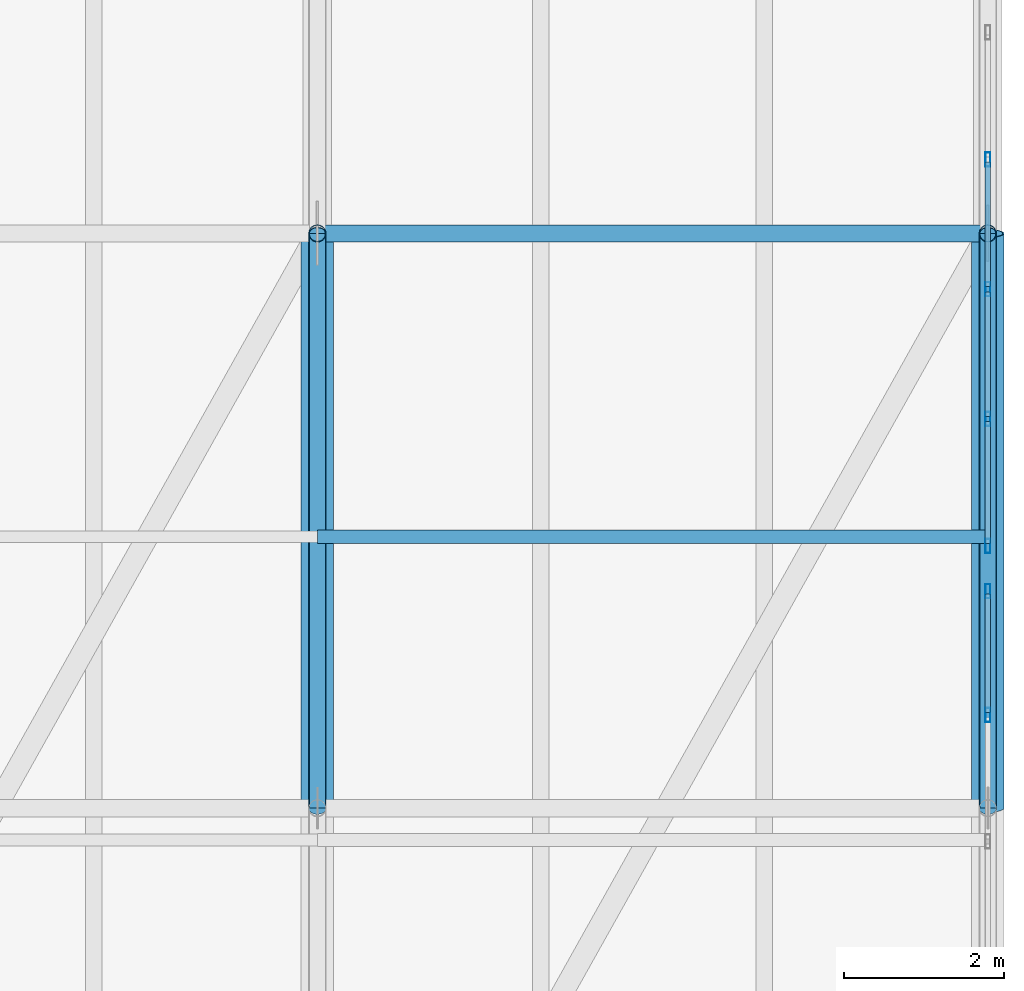
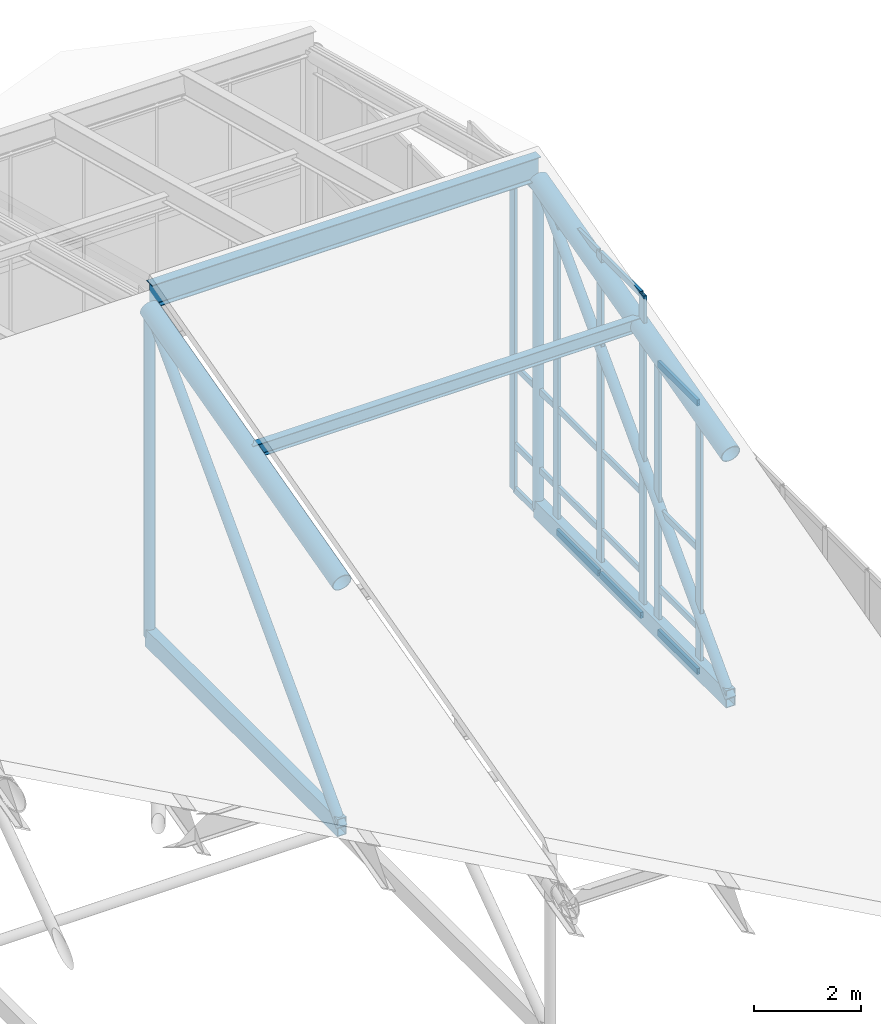
# One storey, part 32 of 43: 31 members, 1 beam, 2 elements without a shape of their own.
"""IFC4 building model written with IfcOpenShell, lengths in metres."""

from ifc_helpers import new_model, si_unit, direction, frame, origin, origin_2d, place, context, subcontext, project, spatial, hollow_rectangle, hollow_circle, i_section, extrude, material, layer, layer_set, material_profile, profile_set, type_object, element, aggregate, save


model = new_model("IFC4")

# Units and contexts
model_context = context("Model", 3, precision=1e-05, world=origin(), true_north=direction((0.0, 1.0)))
body_context = subcontext(model_context, "Body", "Model", "MODEL_VIEW")
ifc_project = project(units=[si_unit("LENGTHUNIT", "METRE"), si_unit("AREAUNIT", "SQUARE_METRE"), si_unit("VOLUMEUNIT", "CUBIC_METRE"), si_unit("PLANEANGLEUNIT", "RADIAN"), si_unit("MASSUNIT", "GRAM", prefix="KILO")], contexts=[model_context])

# Site, building, storey
site_placement = place(None, origin())
site = spatial("IfcSite", under=ifc_project, at=site_placement, CompositionType="ELEMENT")
building_placement = place(site_placement, origin())
building = spatial("IfcBuilding", under=site, at=building_placement, Name="Selat Folded Stagehouse", CompositionType="ELEMENT")
storey_placement = place(building_placement, frame((0.0, 0.0, 32.39990234375)))
storey = spatial("IfcBuildingStorey", under=building, at=storey_placement, Name="RF", CompositionType="ELEMENT", Elevation=32.39990234375)

# Beam
ifc_material_1 = material(Name="Steel S355", Category="steel")
ifc_material_profile_1 = material_profile(ifc_material_1, i_section(OverallWidth=0.209228515625, OverallDepth=0.533203125, WebThickness=0.010009765625, FlangeThickness=0.015625, FilletRadius=0.0126953125, at=origin_2d()), Name="UKB 533x210x92")
ifc_profile_set_1 = profile_set([ifc_material_profile_1], Name="Steel S355")
beam_type = type_object("IfcBeamType", Name="BM-GIRD-533x210x92", PredefinedType="BEAM", material=ifc_profile_set_1)
beam_placement = place(storey_placement, frame((58.800048828125, 46.199951171875, 7.943359375), z_axis=(1.0, 0.0, 0.0), x_axis=(0.0, 1.0, 0.0)))
element("IfcBeam", 1, at=beam_placement, inside=storey, type_object=beam_type, Name="RF bay 7 R roof bearer beam", PredefinedType="BEAM", context=body_context, shape_type="SweptSolid", body=[
    extrude(i_section(OverallWidth=0.209228515625, OverallDepth=0.533203125, WebThickness=0.010009765625, FlangeThickness=0.015625, FilletRadius=0.0126953125, at=origin_2d()), origin(), (0.0, 0.0, 1.0), 8.39990234375),
])

# Curtain wall, members
ifc_material_2 = material(Name="Aluminium 6063-T6", Category="aluminium")
ifc_layer = layer(ifc_material_2, 0.169921875)
ifc_layer_set = layer_set([ifc_layer], Name="Aluminium 6063-T6")
curtain_wall_type = type_object("IfcCurtainWallType", Name="CW-CRN-CLER", PredefinedType="NOTDEFINED", material=ifc_layer_set)
curtain_wall_1_placement = place(storey_placement, origin())
curtain_wall_1 = element("IfcCurtainWall", 2, at=curtain_wall_1_placement, inside=storey, type_object=curtain_wall_type, Name="RF curtain wall CW-RF-E-01", PredefinedType="NOTDEFINED")
ifc_material_profile_2 = material_profile(ifc_material_2, hollow_rectangle(XDim=0.06494140625, YDim=0.179931640625, WallThickness=0.00390625, at=origin_2d()), Name="ALU 180x65x4.0")
ifc_profile_set_2 = profile_set([ifc_material_profile_2], Name="Aluminium 6063-T6")
member_type_1 = type_object("IfcMemberType", Name="CWM-MUL-180x65", PredefinedType="MULLION", material=ifc_profile_set_2)
member_1_placement = place(storey_placement, frame((67.199951171875, 47.125, 0.0), z_axis=(0.0, 0.0, 1.0), x_axis=(1.0, 0.0, 0.0)))
member_1 = element("IfcMember", 3, at=member_1_placement, type_object=member_type_1, Name="CW-09 mullion 2", PredefinedType="MULLION", context=body_context, shape_type="SweptSolid", body=[
    extrude(hollow_rectangle(XDim=0.06494140625, YDim=0.179931640625, WallThickness=0.00390625, at=origin_2d()), origin(), (0.0, 0.0, 1.0), 7.400146484375),
])
member_2_placement = place(storey_placement, frame((67.199951171875, 45.5, 0.0), z_axis=(0.0, 0.0, 1.0), x_axis=(1.0, 0.0, 0.0)))
member_2 = element("IfcMember", 4, at=member_2_placement, type_object=member_type_1, Name="CW-09 mullion 3", PredefinedType="MULLION", context=body_context, shape_type="SweptSolid", body=[
    extrude(hollow_rectangle(XDim=0.06494140625, YDim=0.179931640625, WallThickness=0.00390625, at=origin_2d()), origin(), (0.0, 0.0, 1.0), 7.400146484375),
])
member_3_placement = place(storey_placement, frame((67.199951171875, 43.875, 0.0), z_axis=(0.0, 0.0, 1.0), x_axis=(1.0, 0.0, 0.0)))
member_3 = element("IfcMember", 5, at=member_3_placement, type_object=member_type_1, Name="CW-09 mullion 4", PredefinedType="MULLION", context=body_context, shape_type="SweptSolid", body=[
    extrude(hollow_rectangle(XDim=0.06494140625, YDim=0.179931640625, WallThickness=0.00390625, at=origin_2d()), origin(), (0.0, 0.0, 1.0), 7.400146484375),
])
member_4_placement = place(storey_placement, frame((67.199951171875, 42.282470703125, 0.0), z_axis=(0.0, 0.0, 1.0), x_axis=(1.0, 0.0, 0.0)))
member_4 = element("IfcMember", 6, at=member_4_placement, type_object=member_type_1, Name="CW-09 mullion 5", PredefinedType="MULLION", context=body_context, shape_type="SweptSolid", body=[
    extrude(hollow_rectangle(XDim=0.06494140625, YDim=0.179931640625, WallThickness=0.00390625, at=origin_2d()), origin(), (0.0, 0.0, 1.0), 7.400146484375),
])

curtain_wall_2_placement = place(storey_placement, origin())
curtain_wall_2 = element("IfcCurtainWall", 7, at=curtain_wall_2_placement, inside=storey, type_object=curtain_wall_type, Name="RF curtain wall CW-RF-E-02", PredefinedType="NOTDEFINED")
member_5_placement = place(storey_placement, frame((67.199951171875, 41.717529296875, 0.0), z_axis=(0.0, 0.0, 1.0), x_axis=(1.0, 0.0, 0.0)))
member_5 = element("IfcMember", 8, at=member_5_placement, type_object=member_type_1, Name="CW-09 mullion 1", PredefinedType="MULLION", context=body_context, shape_type="SweptSolid", body=[
    extrude(hollow_rectangle(XDim=0.06494140625, YDim=0.179931640625, WallThickness=0.00390625, at=origin_2d()), origin(), (0.0, 0.0, 1.0), 6.2001953125),
])
member_6_placement = place(storey_placement, frame((67.199951171875, 40.166748046875, 0.0), z_axis=(0.0, 0.0, 1.0), x_axis=(1.0, 0.0, 0.0)))
member_6 = element("IfcMember", 9, at=member_6_placement, type_object=member_type_1, Name="CW-09 mullion 2", PredefinedType="MULLION", context=body_context, shape_type="SweptSolid", body=[
    extrude(hollow_rectangle(XDim=0.06494140625, YDim=0.179931640625, WallThickness=0.00390625, at=origin_2d()), origin(), (0.0, 0.0, 1.0), 6.2001953125),
])

# Member
ifc_material_profile_3 = material_profile(ifc_material_2, hollow_rectangle(XDim=0.06494140625, YDim=0.139892578125, WallThickness=0.00390625, at=origin_2d()), Name="ALU 140x65x4.0")
ifc_profile_set_3 = profile_set([ifc_material_profile_3], Name="Aluminium 6063-T6")
member_type_2 = type_object("IfcMemberType", Name="CWM-TRN-140x65", PredefinedType="USERDEFINED", material=ifc_profile_set_3)
member_7_placement = place(storey_placement, frame((67.199951171875, 47.092529296875, 0.03271484375), z_axis=(0.0, -1.0, 0.0), x_axis=(1.0, 0.0, 0.0)))
member_7 = element("IfcMember", 10, at=member_7_placement, type_object=member_type_2, Name="CW-09 transom 2.1", ObjectType="TRANSOM", PredefinedType="USERDEFINED", context=body_context, shape_type="SweptSolid", body=[
    extrude(hollow_rectangle(XDim=0.06494140625, YDim=0.139892578125, WallThickness=0.00390625, at=origin_2d()), origin(), (0.0, 0.0, 1.0), 1.56005859375),
])

member_8_placement = place(storey_placement, frame((67.199951171875, 47.092529296875, 1.050048828125), z_axis=(0.0, -1.0, 0.0), x_axis=(1.0, 0.0, 0.0)))
member_8 = element("IfcMember", 11, at=member_8_placement, type_object=member_type_2, Name="CW-09 transom 2.2", ObjectType="TRANSOM", PredefinedType="USERDEFINED", context=body_context, shape_type="SweptSolid", body=[
    extrude(hollow_rectangle(XDim=0.06494140625, YDim=0.139892578125, WallThickness=0.00390625, at=origin_2d()), origin(), (0.0, 0.0, 1.0), 1.56005859375),
])

member_9_placement = place(storey_placement, frame((67.199951171875, 47.092529296875, 2.85009765625), z_axis=(0.0, -1.0, 0.0), x_axis=(1.0, 0.0, 0.0)))
member_9 = element("IfcMember", 12, at=member_9_placement, type_object=member_type_2, Name="CW-09 transom 2.3", ObjectType="TRANSOM", PredefinedType="USERDEFINED", context=body_context, shape_type="SweptSolid", body=[
    extrude(hollow_rectangle(XDim=0.06494140625, YDim=0.139892578125, WallThickness=0.00390625, at=origin_2d()), origin(), (0.0, 0.0, 1.0), 1.56005859375),
])

member_10_placement = place(storey_placement, frame((67.199951171875, 47.092529296875, 7.36767578125), z_axis=(0.0, -1.0, 0.0), x_axis=(1.0, 0.0, 0.0)))
member_10 = element("IfcMember", 13, at=member_10_placement, type_object=member_type_2, Name="CW-09 transom 2.4", ObjectType="TRANSOM", PredefinedType="USERDEFINED", context=body_context, shape_type="SweptSolid", body=[
    extrude(hollow_rectangle(XDim=0.06494140625, YDim=0.139892578125, WallThickness=0.00390625, at=origin_2d()), origin(), (0.0, 0.0, 1.0), 1.56005859375),
])

member_11_placement = place(storey_placement, frame((67.199951171875, 45.467529296875, 0.03271484375), z_axis=(0.0, -1.0, 0.0), x_axis=(1.0, 0.0, 0.0)))
member_11 = element("IfcMember", 14, at=member_11_placement, type_object=member_type_2, Name="CW-09 transom 3.1", ObjectType="TRANSOM", PredefinedType="USERDEFINED", context=body_context, shape_type="SweptSolid", body=[
    extrude(hollow_rectangle(XDim=0.06494140625, YDim=0.139892578125, WallThickness=0.00390625, at=origin_2d()), origin(), (0.0, 0.0, 1.0), 1.56005859375),
])

member_12_placement = place(storey_placement, frame((67.199951171875, 45.467529296875, 1.050048828125), z_axis=(0.0, -1.0, 0.0), x_axis=(1.0, 0.0, 0.0)))
member_12 = element("IfcMember", 15, at=member_12_placement, type_object=member_type_2, Name="CW-09 transom 3.2", ObjectType="TRANSOM", PredefinedType="USERDEFINED", context=body_context, shape_type="SweptSolid", body=[
    extrude(hollow_rectangle(XDim=0.06494140625, YDim=0.139892578125, WallThickness=0.00390625, at=origin_2d()), origin(), (0.0, 0.0, 1.0), 1.56005859375),
])

member_13_placement = place(storey_placement, frame((67.199951171875, 45.467529296875, 2.85009765625), z_axis=(0.0, -1.0, 0.0), x_axis=(1.0, 0.0, 0.0)))
member_13 = element("IfcMember", 16, at=member_13_placement, type_object=member_type_2, Name="CW-09 transom 3.3", ObjectType="TRANSOM", PredefinedType="USERDEFINED", context=body_context, shape_type="SweptSolid", body=[
    extrude(hollow_rectangle(XDim=0.06494140625, YDim=0.139892578125, WallThickness=0.00390625, at=origin_2d()), origin(), (0.0, 0.0, 1.0), 1.56005859375),
])

member_14_placement = place(storey_placement, frame((67.199951171875, 45.467529296875, 7.36767578125), z_axis=(0.0, -1.0, 0.0), x_axis=(1.0, 0.0, 0.0)))
member_14 = element("IfcMember", 17, at=member_14_placement, type_object=member_type_2, Name="CW-09 transom 3.4", ObjectType="TRANSOM", PredefinedType="USERDEFINED", context=body_context, shape_type="SweptSolid", body=[
    extrude(hollow_rectangle(XDim=0.06494140625, YDim=0.139892578125, WallThickness=0.00390625, at=origin_2d()), origin(), (0.0, 0.0, 1.0), 1.56005859375),
])

member_15_placement = place(storey_placement, frame((67.199951171875, 43.842529296875, 0.03271484375), z_axis=(0.0, -1.0, 0.0), x_axis=(1.0, 0.0, 0.0)))
member_15 = element("IfcMember", 18, at=member_15_placement, type_object=member_type_2, Name="CW-09 transom 4.1", ObjectType="TRANSOM", PredefinedType="USERDEFINED", context=body_context, shape_type="SweptSolid", body=[
    extrude(hollow_rectangle(XDim=0.06494140625, YDim=0.139892578125, WallThickness=0.00390625, at=origin_2d()), origin(), (0.0, 0.0, 1.0), 1.527587890625),
])

member_16_placement = place(storey_placement, frame((67.199951171875, 43.842529296875, 1.050048828125), z_axis=(0.0, -1.0, 0.0), x_axis=(1.0, 0.0, 0.0)))
member_16 = element("IfcMember", 19, at=member_16_placement, type_object=member_type_2, Name="CW-09 transom 4.2", ObjectType="TRANSOM", PredefinedType="USERDEFINED", context=body_context, shape_type="SweptSolid", body=[
    extrude(hollow_rectangle(XDim=0.06494140625, YDim=0.139892578125, WallThickness=0.00390625, at=origin_2d()), origin(), (0.0, 0.0, 1.0), 1.527587890625),
])

member_17_placement = place(storey_placement, frame((67.199951171875, 43.842529296875, 2.85009765625), z_axis=(0.0, -1.0, 0.0), x_axis=(1.0, 0.0, 0.0)))
member_17 = element("IfcMember", 20, at=member_17_placement, type_object=member_type_2, Name="CW-09 transom 4.3", ObjectType="TRANSOM", PredefinedType="USERDEFINED", context=body_context, shape_type="SweptSolid", body=[
    extrude(hollow_rectangle(XDim=0.06494140625, YDim=0.139892578125, WallThickness=0.00390625, at=origin_2d()), origin(), (0.0, 0.0, 1.0), 1.527587890625),
])

member_18_placement = place(storey_placement, frame((67.199951171875, 43.842529296875, 7.36767578125), z_axis=(0.0, -1.0, 0.0), x_axis=(1.0, 0.0, 0.0)))
member_18 = element("IfcMember", 21, at=member_18_placement, type_object=member_type_2, Name="CW-09 transom 4.4", ObjectType="TRANSOM", PredefinedType="USERDEFINED", context=body_context, shape_type="SweptSolid", body=[
    extrude(hollow_rectangle(XDim=0.06494140625, YDim=0.139892578125, WallThickness=0.00390625, at=origin_2d()), origin(), (0.0, 0.0, 1.0), 1.527587890625),
])

aggregate(curtain_wall_1, [member_1, member_2, member_3, member_4, member_7, member_8, member_9, member_10, member_11, member_12, member_13, member_14, member_15, member_16, member_17, member_18])

member_19_placement = place(storey_placement, frame((67.199951171875, 41.68505859375, 0.03271484375), z_axis=(0.0, -1.0, 0.0), x_axis=(1.0, 0.0, 0.0)))
member_19 = element("IfcMember", 22, at=member_19_placement, type_object=member_type_2, Name="CW-09 transom 1.1", ObjectType="TRANSOM", PredefinedType="USERDEFINED", context=body_context, shape_type="SweptSolid", body=[
    extrude(hollow_rectangle(XDim=0.06494140625, YDim=0.139892578125, WallThickness=0.00390625, at=origin_2d()), origin(), (0.0, 0.0, 1.0), 1.48583984375),
])

member_20_placement = place(storey_placement, frame((67.199951171875, 41.68505859375, 1.050048828125), z_axis=(0.0, -1.0, 0.0), x_axis=(1.0, 0.0, 0.0)))
member_20 = element("IfcMember", 23, at=member_20_placement, type_object=member_type_2, Name="CW-09 transom 1.2", ObjectType="TRANSOM", PredefinedType="USERDEFINED", context=body_context, shape_type="SweptSolid", body=[
    extrude(hollow_rectangle(XDim=0.06494140625, YDim=0.139892578125, WallThickness=0.00390625, at=origin_2d()), origin(), (0.0, 0.0, 1.0), 1.48583984375),
])

member_21_placement = place(storey_placement, frame((67.199951171875, 41.68505859375, 2.85009765625), z_axis=(0.0, -1.0, 0.0), x_axis=(1.0, 0.0, 0.0)))
member_21 = element("IfcMember", 24, at=member_21_placement, type_object=member_type_2, Name="CW-09 transom 1.3", ObjectType="TRANSOM", PredefinedType="USERDEFINED", context=body_context, shape_type="SweptSolid", body=[
    extrude(hollow_rectangle(XDim=0.06494140625, YDim=0.139892578125, WallThickness=0.00390625, at=origin_2d()), origin(), (0.0, 0.0, 1.0), 1.48583984375),
])

member_22_placement = place(storey_placement, frame((67.199951171875, 41.68505859375, 6.16748046875), z_axis=(0.0, -1.0, 0.0), x_axis=(1.0, 0.0, 0.0)))
member_22 = element("IfcMember", 25, at=member_22_placement, type_object=member_type_2, Name="CW-09 transom 1.4", ObjectType="TRANSOM", PredefinedType="USERDEFINED", context=body_context, shape_type="SweptSolid", body=[
    extrude(hollow_rectangle(XDim=0.06494140625, YDim=0.139892578125, WallThickness=0.00390625, at=origin_2d()), origin(), (0.0, 0.0, 1.0), 1.48583984375),
])

aggregate(curtain_wall_2, [member_5, member_6, member_19, member_20, member_21, member_22])

# Members
ifc_material_profile_4 = material_profile(ifc_material_1, hollow_circle(Radius=0.109619140625, WallThickness=0.010009765625, at=origin_2d()), Name="CHS 219.1x10.0")
ifc_profile_set_4 = profile_set([ifc_material_profile_4], Name="Steel S355")
member_type_3 = type_object("IfcMemberType", Name="MEM-BRACE-CHS219", PredefinedType="BRACE", material=ifc_profile_set_4)
for number, where, z_axis, x_axis, name in (
    (26, (58.800048828125, 39.0, 0.150146484375), (0.0, 0.693597845088, 0.720362429121), (-1.0, 0.0, 0.0), "Folded-plate web diagonal 7.3"),
    (27, (67.199951171875, 39.0, 0.150146484375), (0.0, 0.693597845088, 0.720362429121), (-1.0, 0.0, 0.0), "Folded-plate web diagonal 8.3"),
):
    element("IfcMember", number, at=place(storey_placement, frame(where, z_axis=z_axis, x_axis=x_axis)), inside=storey, type_object=member_type_3, Name=name, PredefinedType="BRACE", context=body_context, shape_type="SweptSolid", body=[
        extrude(hollow_circle(Radius=0.109619140625, WallThickness=0.010009765625, at=origin_2d()), origin(), (0.0, 0.0, 1.0), 10.380615234375),
    ])
ifc_material_profile_5 = material_profile(ifc_material_1, hollow_circle(Radius=0.203125, WallThickness=0.01611328125, at=origin_2d()), Name="CHS 406.4x16.0")
ifc_profile_set_5 = profile_set([ifc_material_profile_5], Name="Steel S355")
member_type_4 = type_object("IfcMemberType", Name="MEM-CHORD-CHS406", PredefinedType="CHORD", material=ifc_profile_set_5)
for number, where, z_axis, x_axis, name in (
    (28, (58.800048828125, 39.0, 5.72607421875), (0.0, 0.966838433119, 0.255388809942), (-1.0, 0.0, 0.0), "Folded-plate top chord 7.3"),
    (29, (67.199951171875, 39.0, 5.72607421875), (0.0, 0.966838433119, 0.255388809942), (-1.0, 0.0, 0.0), "Folded-plate top chord 8.3"),
):
    element("IfcMember", number, at=place(storey_placement, frame(where, z_axis=z_axis, x_axis=x_axis)), inside=storey, type_object=member_type_4, Name=name, PredefinedType="CHORD", context=body_context, shape_type="SweptSolid", body=[
        extrude(hollow_circle(Radius=0.203125, WallThickness=0.01611328125, at=origin_2d()), origin(), (0.0, 0.0, 1.0), 7.447021484375),
    ])
ifc_material_profile_6 = material_profile(ifc_material_1, hollow_rectangle(XDim=0.199951171875, YDim=0.39990234375, WallThickness=0.012451171875, at=origin_2d()), Name="RHS 400x200x12.5")
ifc_profile_set_6 = profile_set([ifc_material_profile_6], Name="Steel S355")
member_type_5 = type_object("IfcMemberType", Name="MEM-CHORD-RHS400", PredefinedType="CHORD", material=ifc_profile_set_6)
for number, where, z_axis, x_axis, name in (
    (30, (58.800048828125, 39.0, 0.150146484375), (0.0, 1.0, 0.0), (-1.0, 0.0, 0.0), "Folded-plate bottom tie 7.3"),
    (31, (67.199951171875, 39.0, 0.150146484375), (0.0, 1.0, 0.0), (-1.0, 0.0, 0.0), "Folded-plate bottom tie 8.3"),
):
    element("IfcMember", number, at=place(storey_placement, frame(where, z_axis=z_axis, x_axis=x_axis)), inside=storey, type_object=member_type_5, Name=name, PredefinedType="CHORD", context=body_context, shape_type="SweptSolid", body=[
        extrude(hollow_rectangle(XDim=0.199951171875, YDim=0.39990234375, WallThickness=0.012451171875, at=origin_2d()), origin(), (0.0, 0.0, 1.0), 7.199951171875),
    ])
ifc_material_profile_7 = material_profile(ifc_material_1, hollow_circle(Radius=0.109619140625, WallThickness=0.010009765625, at=origin_2d()), Name="CHS 219.1x10.0")
ifc_profile_set_7 = profile_set([ifc_material_profile_7], Name="Steel S355")
member_type_6 = type_object("IfcMemberType", Name="MEM-POST-CHS219", PredefinedType="POST", material=ifc_profile_set_7)
for number, where, z_axis, x_axis, name in (
    (32, (58.800048828125, 46.199951171875, 0.150146484375), (0.0, 0.0, 1.0), (1.0, 0.0, 0.0), "Folded-plate truss post 7.3"),
    (33, (67.199951171875, 46.199951171875, 0.150146484375), (0.0, 0.0, 1.0), (1.0, 0.0, 0.0), "Folded-plate truss post 8.3"),
):
    element("IfcMember", number, at=place(storey_placement, frame(where, z_axis=z_axis, x_axis=x_axis)), inside=storey, type_object=member_type_6, Name=name, PredefinedType="POST", context=body_context, shape_type="SweptSolid", body=[
        extrude(hollow_circle(Radius=0.109619140625, WallThickness=0.010009765625, at=origin_2d()), origin(), (0.0, 0.0, 1.0), 7.477783203125),
    ])
ifc_material_profile_8 = material_profile(ifc_material_1, i_section(OverallWidth=0.1650390625, OverallDepth=0.303466796875, WebThickness=0.006103515625, FlangeThickness=0.01025390625, FilletRadius=0.0087890625, at=origin_2d()), Name="UKB 305x165x40")
ifc_profile_set_8 = profile_set([ifc_material_profile_8], Name="Steel S355")
member_type_7 = type_object("IfcMemberType", Name="MEM-PURLIN-UKB305", PredefinedType="PURLIN", material=ifc_profile_set_8)
member_23_placement = place(storey_placement, frame((58.800048828125, 42.39990234375, 6.677490234375), z_axis=(1.0, 0.0, 0.0), x_axis=(0.0, 1.0, 0.0)))
element("IfcMember", 34, at=member_23_placement, inside=storey, type_object=member_type_7, Name="Folded-plate roof purlin bay 7.4", PredefinedType="PURLIN", context=body_context, shape_type="SweptSolid", body=[
    extrude(i_section(OverallWidth=0.1650390625, OverallDepth=0.303466796875, WebThickness=0.006103515625, FlangeThickness=0.01025390625, FilletRadius=0.0087890625, at=origin_2d()), origin(), (0.0, 0.0, 1.0), 8.39990234375),
])

save(model, "model.ifc")
